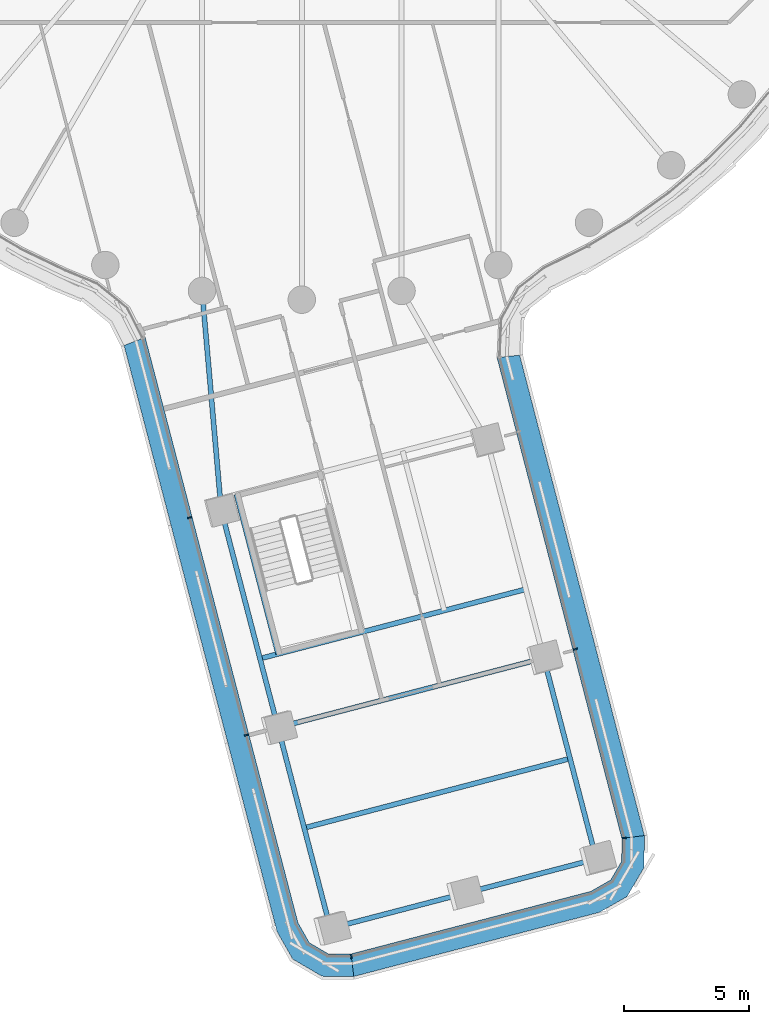
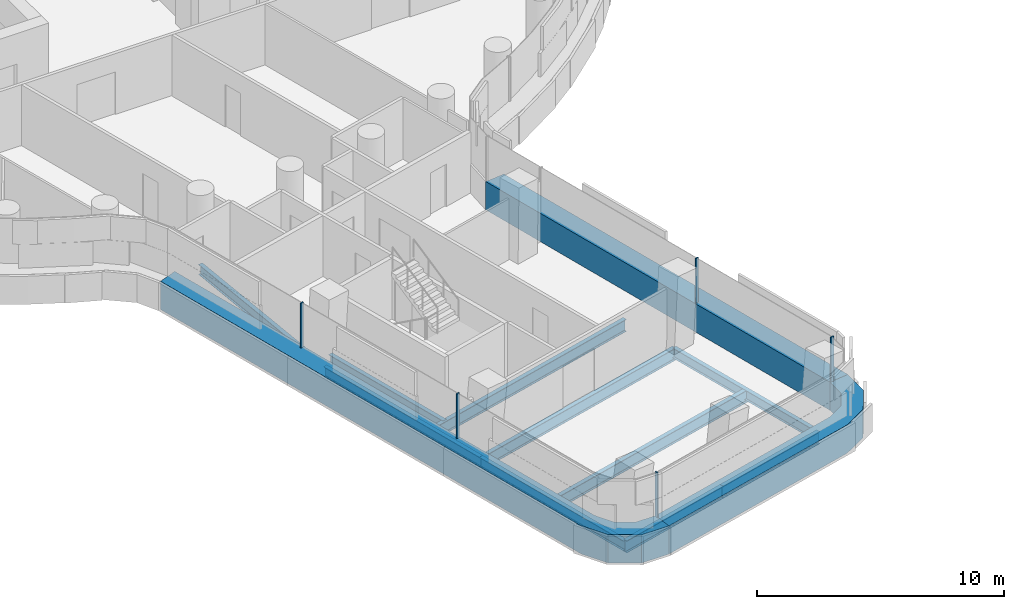
# One storey, part 2 of 30: 10 beams, 8 members, 3 elements without a shape of their own.
"""IFC4 building model written with IfcOpenShell, lengths in metres."""

from ifc_helpers import new_model, si_unit, direction, frame, origin, origin_2d, place, context, subcontext, project, spatial, polyline, rectangle, i_section, outline, extrude, material, layer, layer_set, material_profile, profile_set, type_object, element, aggregate, save


model = new_model("IFC4")

# Units and contexts
model_context = context("Model", 3, precision=1e-05, world=origin(), true_north=direction((0.0, 1.0)))
body_context = subcontext(model_context, "Body", "Model", "MODEL_VIEW")
ifc_project = project(units=[si_unit("LENGTHUNIT", "METRE"), si_unit("AREAUNIT", "SQUARE_METRE"), si_unit("VOLUMEUNIT", "CUBIC_METRE"), si_unit("PLANEANGLEUNIT", "RADIAN"), si_unit("MASSUNIT", "GRAM", prefix="KILO")], contexts=[model_context])

# Site, building, storey
site_placement = place(None, origin())
site = spatial("IfcSite", under=ifc_project, at=site_placement, CompositionType="ELEMENT")
building_placement = place(site_placement, origin())
building = spatial("IfcBuilding", under=site, at=building_placement, Name="Tamarind Cross Interchange Tower", CompositionType="ELEMENT")
storey_placement = place(building_placement, frame((0.0, 0.0, 87.25)))
storey = spatial("IfcBuildingStorey", under=building, at=storey_placement, Name="L20", CompositionType="ELEMENT", Elevation=87.25)

# Beams
ifc_material_1 = material(Name="Steel Q355B", Category="steel")
ifc_material_profile_1 = material_profile(ifc_material_1, i_section(OverallWidth=0.198974609375, OverallDepth=0.49609375, WebThickness=0.009033203125, FlangeThickness=0.013916015625, FilletRadius=0.012939453125, at=origin_2d()), Name="HN 496x199x9x14")
ifc_profile_set_1 = profile_set([ifc_material_profile_1], Name="Steel Q355B")
beam_type_1 = type_object("IfcBeamType", Name="Composite beam HN 496x199x9x14 Q355B", PredefinedType="BEAM", material=ifc_profile_set_1)
beam_1_placement = place(storey_placement, frame((1.145751953125, -48.169677734375, -0.387939453125), z_axis=(-0.252517563443, 0.967592310921, 0.0), x_axis=(-0.967592310921, -0.252517563443, 0.0)))
element("IfcBeam", 1, at=beam_1_placement, inside=storey, type_object=beam_type_1, Name="Beam S-edgeem5", PredefinedType="BEAM", context=body_context, shape_type="SweptSolid", body=[
    extrude(i_section(OverallWidth=0.198974609375, OverallDepth=0.49609375, WebThickness=0.009033203125, FlangeThickness=0.013916015625, FilletRadius=0.012939453125, at=origin_2d()), origin(), (0.0, 0.0, 1.0), 8.310791015625),
])
beam_2_placement = place(storey_placement, frame((-0.952880859375, -40.128173828125, -0.387939453125), z_axis=(-0.252549990783, 0.96758384761, 0.0), x_axis=(-0.96758384761, -0.252549990783, 0.0)))
element("IfcBeam", 2, at=beam_2_placement, inside=storey, type_object=beam_type_1, Name="Beam S-edgeem6", PredefinedType="BEAM", context=body_context, shape_type="SweptSolid", body=[
    extrude(i_section(OverallWidth=0.198974609375, OverallDepth=0.49609375, WebThickness=0.009033203125, FlangeThickness=0.013916015625, FilletRadius=0.012939453125, at=origin_2d()), origin(), (0.0, 0.0, 1.0), 9.0),
])
beam_3_placement = place(storey_placement, frame((11.789306640625, -45.391845703125, -0.387939453125), z_axis=(-0.252545066132, 0.967585132984, 0.0), x_axis=(-0.967585132984, -0.252545066132, 0.0)))
element("IfcBeam", 3, at=beam_3_placement, inside=storey, type_object=beam_type_1, Name="Beam S-edgeep2", PredefinedType="BEAM", context=body_context, shape_type="SweptSolid", body=[
    extrude(i_section(OverallWidth=0.198974609375, OverallDepth=0.49609375, WebThickness=0.009033203125, FlangeThickness=0.013916015625, FilletRadius=0.012939453125, at=origin_2d()), origin(), (0.0, 0.0, 1.0), 8.310791015625),
])
beam_4_placement = place(storey_placement, frame((-3.225830078125, -31.419921875, -0.387939453125), z_axis=(-0.08725192882, 0.996186278222, 0.0), x_axis=(-0.996186278222, -0.08725192882, 0.0)))
element("IfcBeam", 4, at=beam_4_placement, inside=storey, type_object=beam_type_1, Name="Beam S-linkem", PredefinedType="BEAM", context=body_context, shape_type="SweptSolid", body=[
    extrude(i_section(OverallWidth=0.198974609375, OverallDepth=0.49609375, WebThickness=0.009033203125, FlangeThickness=0.013916015625, FilletRadius=0.012939453125, at=origin_2d()), origin(), (0.0, 0.0, 1.0), 8.802978515625),
])
beam_5_placement = place(storey_placement, frame((-2.61376953125, -30.795166015625, -0.387939453125), z_axis=(0.252540857231, -0.967586231521, 0.0), x_axis=(0.967586231521, 0.252540857231, 0.0)))
element("IfcBeam", 5, at=beam_5_placement, inside=storey, type_object=beam_type_1, Name="Beam S-tr0", PredefinedType="BEAM", context=body_context, shape_type="SweptSolid", body=[
    extrude(i_section(OverallWidth=0.198974609375, OverallDepth=0.49609375, WebThickness=0.009033203125, FlangeThickness=0.013916015625, FilletRadius=0.012939453125, at=origin_2d()), origin(), (0.0, 0.0, 1.0), 6.599853515625),
])
ifc_material_profile_2 = material_profile(ifc_material_1, i_section(OverallWidth=0.199951171875, OverallDepth=0.60009765625, WebThickness=0.010986328125, FlangeThickness=0.01708984375, FilletRadius=0.012939453125, at=origin_2d()), Name="HN 600x200x11x17")
ifc_profile_set_2 = profile_set([ifc_material_profile_2], Name="Steel Q355B")
beam_type_2 = type_object("IfcBeamType", Name="Composite beam HN 600x200x11x17 Q355B", PredefinedType="BEAM", material=ifc_profile_set_2)
for number, where, z_axis, x_axis, name in (
    (6, (1.145751953125, -48.169677734375, -0.43994140625), (0.967589454711, 0.252528507563, 0.0), (-0.252528507563, 0.967589454711, 0.0), "Beam S-tip0"),
    (7, (6.467529296875, -46.78076171875, -0.43994140625), (0.967589454711, 0.252528507563, 0.0), (-0.252528507563, 0.967589454711, 0.0), "Beam S-tip1"),
):
    element("IfcBeam", number, at=place(storey_placement, frame(where, z_axis=z_axis, x_axis=x_axis)), inside=storey, type_object=beam_type_2, Name=name, PredefinedType="BEAM", context=body_context, shape_type="SweptSolid", body=[
        extrude(i_section(OverallWidth=0.199951171875, OverallDepth=0.60009765625, WebThickness=0.010986328125, FlangeThickness=0.01708984375, FilletRadius=0.012939453125, at=origin_2d()), origin(), (0.0, 0.0, 1.0), 5.5),
    ])
for number, where, z_axis, x_axis, name in (
    (8, (-1.672607421875, -37.37060546875, -0.43994140625), (0.967588039311, 0.252533930755, 0.0), (-0.252533930755, 0.967588039311, 0.0), "Beam S-x364"),
    (9, (-0.952880859375, -40.128173828125, -0.43994140625), (0.967588039311, 0.252533930755, 0.0), (-0.252533930755, 0.967588039311, 0.0), "Beam S-x393"),
    (10, (0.096435546875, -44.14892578125, -0.43994140625), (0.967588039311, 0.252533930755, 0.0), (-0.252533930755, 0.967588039311, 0.0), "Beam S-x435"),
):
    element("IfcBeam", number, at=place(storey_placement, frame(where, z_axis=z_axis, x_axis=x_axis)), inside=storey, type_object=beam_type_2, Name=name, PredefinedType="BEAM", context=body_context, shape_type="SweptSolid", body=[
        extrude(i_section(OverallWidth=0.199951171875, OverallDepth=0.60009765625, WebThickness=0.010986328125, FlangeThickness=0.01708984375, FilletRadius=0.012939453125, at=origin_2d()), origin(), (0.0, 0.0, 1.0), 10.999755859375),
    ])

# Curtain wall, member
ifc_material_2 = material(Name="Aluminium 6063-T6", Category="aluminium")
ifc_layer = layer(ifc_material_2, 0.159912109375)
ifc_layer_set = layer_set([ifc_layer], Name="Aluminium 6063-T6")
curtain_wall_type = type_object("IfcCurtainWallType", Name="Office curtain wall, 9.0 m bays", PredefinedType="NOTDEFINED", material=ifc_layer_set)
curtain_wall_1_placement = place(storey_placement, origin())
curtain_wall_1 = element("IfcCurtainWall", 11, at=curtain_wall_1_placement, inside=storey, type_object=curtain_wall_type, Name="CWS-L20-07", PredefinedType="NOTDEFINED")
ifc_material_3 = material(Name="Aluminium and insulated spandrel panel", Category="aluminium")
member_type_1 = type_object("IfcMemberType", Name="Floor-edge blade transom", PredefinedType="USERDEFINED", material=ifc_material_3)
member_1_placement = place(storey_placement, origin())
member_1 = element("IfcMember", 12, at=member_1_placement, type_object=member_type_1, Name="CWT-L20-07", ObjectType="TRANSOM", PredefinedType="USERDEFINED", context=body_context, shape_type="SweptSolid", body=[
    extrude(outline(polyline([(-6.26953125, -24.509521484375), (-0.151611328125, -47.95068359375), (0.301025390625, -48.74658203125), (1.055419921875, -49.188720703125), (1.970703125, -49.194580078125), (2.08349609375, -50.095458984375), (0.808349609375, -50.087158203125), (-0.362060546875, -49.401123046875), (-0.992431640625, -48.292724609375), (-7.11572265625, -24.83056640625), (-6.26953125, -24.509521484375)])), origin(), (0.0, 0.0, 1.0), 1.39990234375),
])

curtain_wall_2_placement = place(storey_placement, origin())
curtain_wall_2 = element("IfcCurtainWall", 13, at=curtain_wall_2_placement, inside=storey, type_object=curtain_wall_type, Name="CWS-L20-08", PredefinedType="NOTDEFINED")
member_2_placement = place(storey_placement, origin())
member_2 = element("IfcMember", 14, at=member_2_placement, type_object=member_type_1, Name="CWT-L20-08", ObjectType="TRANSOM", PredefinedType="USERDEFINED", context=body_context, shape_type="SweptSolid", body=[
    extrude(outline(polyline([(1.970703125, -49.194580078125), (11.5703125, -46.689208984375), (12.365966796875, -46.23681640625), (12.80810546875, -45.482177734375), (12.814208984375, -44.566650390625), (13.71484375, -44.45458984375), (13.70654296875, -45.729248046875), (13.0205078125, -46.89990234375), (11.912109375, -47.5302734375), (2.08349609375, -50.095458984375), (1.970703125, -49.194580078125)])), origin(), (0.0, 0.0, 1.0), 1.39990234375),
])

curtain_wall_3_placement = place(storey_placement, origin())
curtain_wall_3 = element("IfcCurtainWall", 15, at=curtain_wall_3_placement, inside=storey, type_object=curtain_wall_type, Name="CWS-L20-09", PredefinedType="NOTDEFINED")
member_3_placement = place(storey_placement, origin())
member_3 = element("IfcMember", 16, at=member_3_placement, type_object=member_type_1, Name="CWT-L20-09", ObjectType="TRANSOM", PredefinedType="USERDEFINED", context=body_context, shape_type="SweptSolid", body=[
    extrude(outline(polyline([(12.814208984375, -44.566650390625), (7.81689453125, -25.316650390625), (8.721923828125, -25.220703125), (13.71484375, -44.45458984375), (12.814208984375, -44.566650390625)])), origin(), (0.0, 0.0, 1.0), 1.39990234375),
])

# Member
ifc_material_profile_3 = material_profile(ifc_material_2, rectangle(XDim=0.06005859375, YDim=0.159912109375, at=origin_2d()), Name="Mullion CW1")
ifc_profile_set_3 = profile_set([ifc_material_profile_3], Name="Aluminium 6063-T6")
member_type_2 = type_object("IfcMemberType", Name="Mullion CW1", PredefinedType="MULLION", material=ifc_profile_set_3)
member_4_placement = place(storey_placement, frame((-4.489501953125, -31.72607421875, 1.39990234375), z_axis=(0.0, 0.0, 1.0), x_axis=(0.252528729967, -0.967589396666, 0.0)))
member_4 = element("IfcMember", 17, at=member_4_placement, type_object=member_type_2, Name="CWM-L20-07-01", PredefinedType="MULLION", context=body_context, shape_type="SweptSolid", body=[
    extrude(rectangle(XDim=0.06005859375, YDim=0.159912109375, at=origin_2d()), origin(), (0.0, 0.0, 1.0), 2.210205078125),
])

member_5_placement = place(storey_placement, frame((-2.217041015625, -40.4326171875, 1.39990234375), z_axis=(0.0, 0.0, 1.0), x_axis=(0.252528729967, -0.967589396666, 0.0)))
member_5 = element("IfcMember", 18, at=member_5_placement, type_object=member_type_2, Name="CWM-L20-07-02", PredefinedType="MULLION", context=body_context, shape_type="SweptSolid", body=[
    extrude(rectangle(XDim=0.06005859375, YDim=0.159912109375, at=origin_2d()), origin(), (0.0, 0.0, 1.0), 2.210205078125),
])

aggregate(curtain_wall_1, [member_4, member_5, member_1])

member_6_placement = place(storey_placement, frame((1.9833984375, -49.294677734375, 1.39990234375), z_axis=(0.0, 0.0, 1.0), x_axis=(0.992273148793, 0.124072552096, 0.0)))
member_6 = element("IfcMember", 19, at=member_6_placement, type_object=member_type_2, Name="CWM-L20-08-00", PredefinedType="MULLION", context=body_context, shape_type="SweptSolid", body=[
    extrude(rectangle(XDim=0.06005859375, YDim=0.159912109375, at=origin_2d()), origin(), (0.0, 0.0, 1.0), 2.210205078125),
])

aggregate(curtain_wall_2, [member_6, member_2])

member_7_placement = place(storey_placement, frame((12.914306640625, -44.55419921875, 1.39990234375), z_axis=(0.0, 0.0, 1.0), x_axis=(-0.123425681404, 0.99235381854, 0.0)))
member_7 = element("IfcMember", 20, at=member_7_placement, type_object=member_type_2, Name="CWM-L20-09-00", PredefinedType="MULLION", context=body_context, shape_type="SweptSolid", body=[
    extrude(rectangle(XDim=0.06005859375, YDim=0.159912109375, at=origin_2d()), origin(), (0.0, 0.0, 1.0), 2.210205078125),
])

member_8_placement = place(storey_placement, frame((10.951171875, -36.992431640625, 1.39990234375), z_axis=(0.0, 0.0, 1.0), x_axis=(-0.251267008723, 0.967917811763, 0.0)))
member_8 = element("IfcMember", 21, at=member_8_placement, type_object=member_type_2, Name="CWM-L20-09-01", PredefinedType="MULLION", context=body_context, shape_type="SweptSolid", body=[
    extrude(rectangle(XDim=0.06005859375, YDim=0.159912109375, at=origin_2d()), origin(), (0.0, 0.0, 1.0), 2.210205078125),
])

aggregate(curtain_wall_3, [member_7, member_8, member_3])

save(model, "model.ifc")
